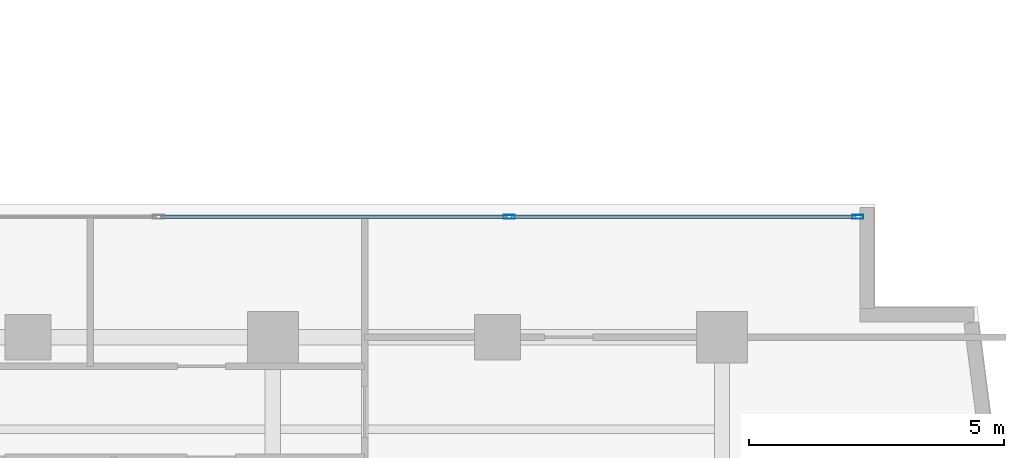
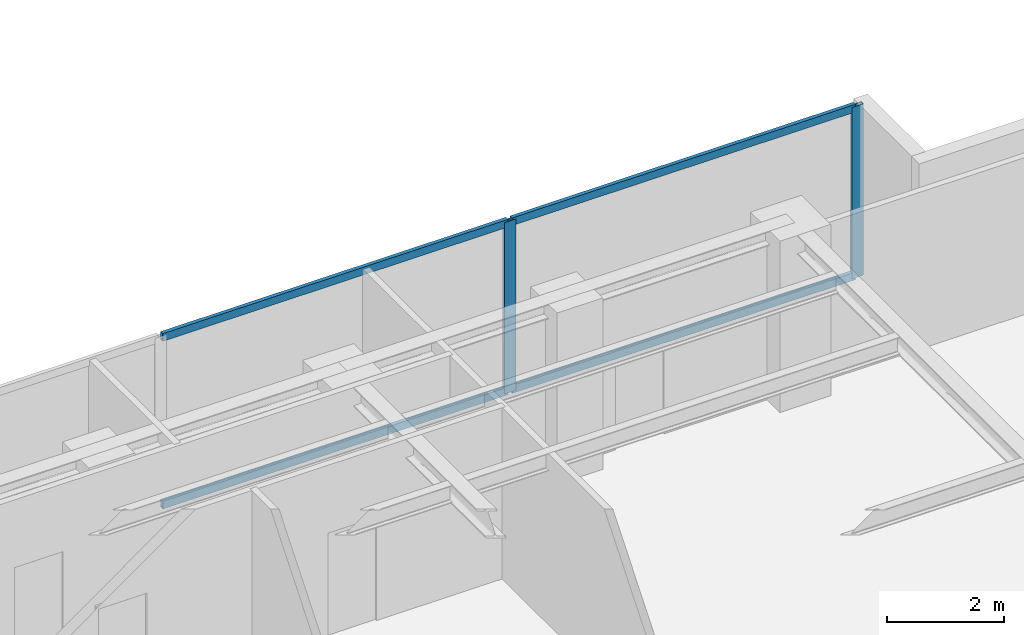
# One storey, part 12 of 23: 6 members, 1 element without a shape of its own.
"""IFC4 building model written with IfcOpenShell, lengths in metres."""

from ifc_helpers import new_model, si_unit, direction, frame, origin, origin_with_axes, origin_2d, place, context, subcontext, project, spatial, hollow_rectangle, extrude, source, transform, mapped, material, layer, layer_set, material_profile, profile_set, type_object, element, aggregate, save


model = new_model("IFC4")

# Units and contexts
model_context = context("Model", 3, precision=1e-05, world=origin(), true_north=direction((0.0, 1.0)))
body_context = subcontext(model_context, "Body", "Model", "MODEL_VIEW")
ifc_project = project(units=[si_unit("LENGTHUNIT", "METRE"), si_unit("AREAUNIT", "SQUARE_METRE"), si_unit("VOLUMEUNIT", "CUBIC_METRE"), si_unit("PLANEANGLEUNIT", "RADIAN"), si_unit("MASSUNIT", "GRAM", prefix="KILO")], contexts=[model_context])

# Site, building, storey
site_placement = place(None, origin())
site = spatial("IfcSite", under=ifc_project, at=site_placement, CompositionType="ELEMENT")
building_placement = place(site_placement, origin())
building = spatial("IfcBuilding", under=site, at=building_placement, Name="Kolvaren Waterfront Exchange", CompositionType="ELEMENT")
storey_placement = place(building_placement, frame((0.0, 0.0, 215.89990234375)))
storey = spatial("IfcBuildingStorey", under=building, at=storey_placement, Name="L55", CompositionType="ELEMENT", Elevation=215.89990234375)

# Curtain wall, members
ifc_material_1 = material(Name="Anodised bronze aluminium 6063-T6", Category="aluminium")
ifc_layer = layer(ifc_material_1, 0.219970703125, Name="Anodised bronze aluminium 6063-T6")
ifc_layer_set = layer_set([ifc_layer], Name="Anodised bronze aluminium 6063-T6")
curtain_wall_type = type_object("IfcCurtainWallType", Name="ARC-CW-SYS1", PredefinedType="USERDEFINED", material=ifc_layer_set)
curtain_wall_placement = place(storey_placement, origin())
curtain_wall = element("IfcCurtainWall", 1, at=curtain_wall_placement, inside=storey, type_object=curtain_wall_type, Name="L55 stick curtain wall CW1 (CW-L55-EN)", ObjectType="STICK CURTAIN WALL", PredefinedType="USERDEFINED")
ifc_material_2 = material(Name="Anodised aluminium 6063-T6", Category="aluminium")
ifc_material_profile_1 = material_profile(ifc_material_2, hollow_rectangle(XDim=0.080078125, YDim=0.219970703125, WallThickness=0.0048828125, at=origin_2d()), Name="ALU-MUL-220x80x5")
ifc_profile_set_1 = profile_set([ifc_material_profile_1], Name="Anodised aluminium 6063-T6")
member_type_1 = type_object("IfcMemberType", Name="ARC-CWM-220", PredefinedType="MULLION", material=ifc_profile_set_1)
shared_shape_1 = source(origin_with_axes(), body_context, "Body", "SweptSolid", [
    extrude(hollow_rectangle(XDim=0.080078125, YDim=0.219970703125, WallThickness=0.0048828125, at=origin_2d()), origin(), (0.0, 0.0, 1.0), 3.56005859375),
])
member_1_placement = place(storey_placement, frame((41.429931640625, 19.760009765625, 0.0), z_axis=(0.0, 0.0, 1.0), x_axis=(0.0, 1.0, 0.0)))
member_1 = element("IfcMember", 2, at=member_1_placement, type_object=member_type_1, Name="CW1 mullion 3", PredefinedType="MULLION", context=body_context, shape_type="MappedRepresentation", body=[
    mapped(shared_shape_1, transform((0.0, 0.0, 0.0), x_axis=(1.0, 0.0, 0.0), y_axis=(0.0, 1.0, 0.0), z_axis=(0.0, 0.0, 1.0), scale=1.0)),
])
member_2_placement = place(storey_placement, frame((48.260009765625, 19.760009765625, 0.0), z_axis=(0.0, 0.0, 1.0), x_axis=(0.0, 1.0, 0.0)))
member_2 = element("IfcMember", 3, at=member_2_placement, type_object=member_type_1, Name="CW1 mullion 4", PredefinedType="MULLION", context=body_context, shape_type="MappedRepresentation", body=[
    mapped(shared_shape_1, transform((0.0, 0.0, 0.0), x_axis=(1.0, 0.0, 0.0), y_axis=(0.0, 1.0, 0.0), z_axis=(0.0, 0.0, 1.0), scale=1.0)),
])
ifc_material_profile_2 = material_profile(ifc_material_2, hollow_rectangle(XDim=0.074951171875, YDim=0.159912109375, WallThickness=0.00439453125, at=origin_2d()), Name="ALU-TRN-160x75x4.5")
ifc_profile_set_2 = profile_set([ifc_material_profile_2], Name="Anodised aluminium 6063-T6")
member_type_2 = type_object("IfcMemberType", Name="ARC-CWT-160", PredefinedType="USERDEFINED", material=ifc_profile_set_2)
shared_shape_2 = source(origin_with_axes(), body_context, "Body", "SweptSolid", [
    extrude(hollow_rectangle(XDim=0.074951171875, YDim=0.159912109375, WallThickness=0.00439453125, at=origin_2d()), origin(), (0.0, 0.0, 1.0), 6.75),
])
member_3_placement = place(storey_placement, frame((41.469970703125, 19.760009765625, 0.03759765625), z_axis=(1.0, 0.0, 0.0), x_axis=(0.0, 1.0, 0.0)))
member_3 = element("IfcMember", 4, at=member_3_placement, type_object=member_type_2, Name="CW1 transom 3.1", ObjectType="TRANSOM", PredefinedType="USERDEFINED", context=body_context, shape_type="MappedRepresentation", body=[
    mapped(shared_shape_2, transform((0.0, 0.0, 0.0), x_axis=(1.0, 0.0, 0.0), y_axis=(0.0, 1.0, 0.0), z_axis=(0.0, 0.0, 1.0), scale=1.0)),
])
member_4_placement = place(storey_placement, frame((41.469970703125, 19.760009765625, 3.522705078125), z_axis=(1.0, 0.0, 0.0), x_axis=(0.0, 1.0, 0.0)))
member_4 = element("IfcMember", 5, at=member_4_placement, type_object=member_type_2, Name="CW1 transom 3.2", ObjectType="TRANSOM", PredefinedType="USERDEFINED", context=body_context, shape_type="MappedRepresentation", body=[
    mapped(shared_shape_2, transform((0.0, 0.0, 0.0), x_axis=(1.0, 0.0, 0.0), y_axis=(0.0, 1.0, 0.0), z_axis=(0.0, 0.0, 1.0), scale=1.0)),
])
shared_shape_3 = source(origin_with_axes(), body_context, "Body", "SweptSolid", [
    extrude(hollow_rectangle(XDim=0.074951171875, YDim=0.159912109375, WallThickness=0.00439453125, at=origin_2d()), origin(), (0.0, 0.0, 1.0), 6.789794921875),
])
member_5_placement = place(storey_placement, frame((34.60009765625, 19.760009765625, 0.03759765625), z_axis=(1.0, 0.0, 0.0), x_axis=(0.0, 1.0, 0.0)))
member_5 = element("IfcMember", 6, at=member_5_placement, type_object=member_type_2, Name="CW1 transom 2.1", ObjectType="TRANSOM", PredefinedType="USERDEFINED", context=body_context, shape_type="MappedRepresentation", body=[
    mapped(shared_shape_3, transform((0.0, 0.0, 0.0), x_axis=(1.0, 0.0, 0.0), y_axis=(0.0, 1.0, 0.0), z_axis=(0.0, 0.0, 1.0), scale=1.0)),
])
member_6_placement = place(storey_placement, frame((34.60009765625, 19.760009765625, 3.522705078125), z_axis=(1.0, 0.0, 0.0), x_axis=(0.0, 1.0, 0.0)))
member_6 = element("IfcMember", 7, at=member_6_placement, type_object=member_type_2, Name="CW1 transom 2.2", ObjectType="TRANSOM", PredefinedType="USERDEFINED", context=body_context, shape_type="MappedRepresentation", body=[
    mapped(shared_shape_3, transform((0.0, 0.0, 0.0), x_axis=(1.0, 0.0, 0.0), y_axis=(0.0, 1.0, 0.0), z_axis=(0.0, 0.0, 1.0), scale=1.0)),
])
aggregate(curtain_wall, [member_1, member_2, member_5, member_6, member_3, member_4])

save(model, "model.ifc")
